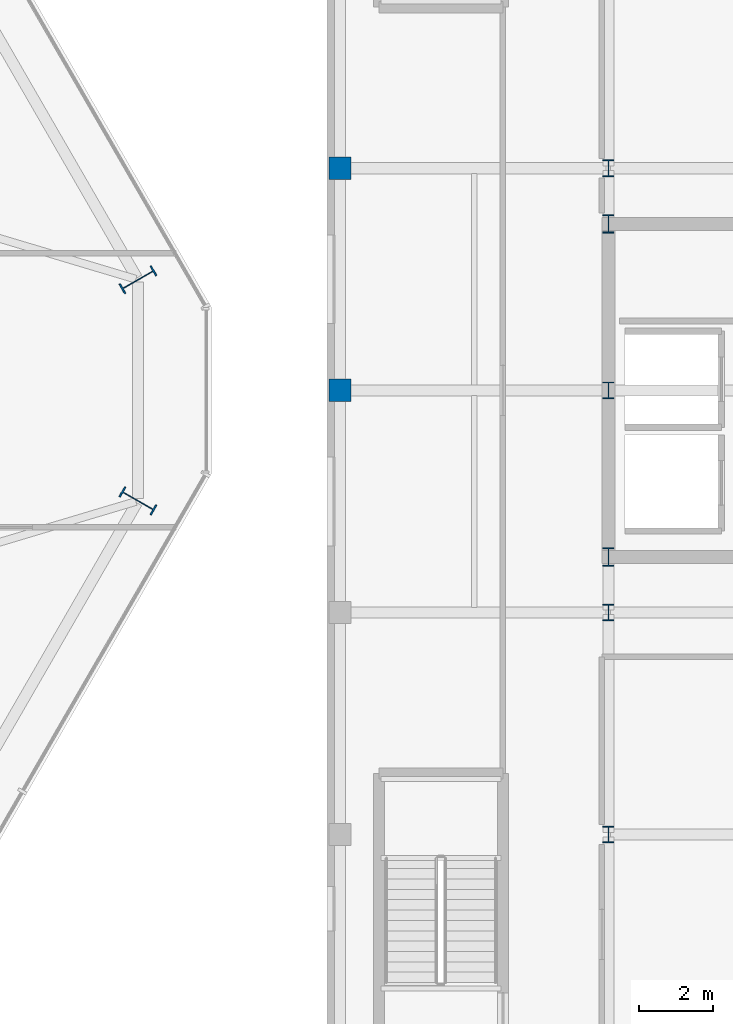
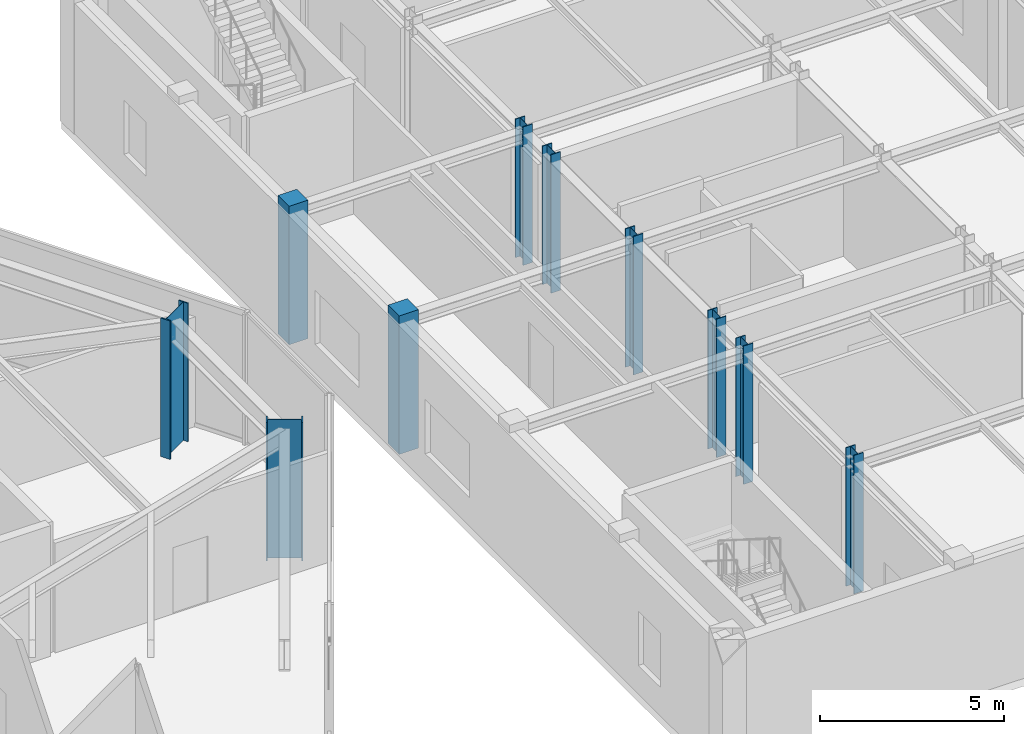
# One storey, part 2 of 23: 10 columns.
"""IFC4 building model written with IfcOpenShell, lengths in metres."""

from ifc_helpers import new_model, si_unit, direction, frame, origin, origin_2d, place, context, subcontext, project, spatial, rectangle, i_section, extrude, material, material_profile, profile_set, type_object, element, save


model = new_model("IFC4")

# Units and contexts
model_context = context("Model", 3, precision=1e-05, world=origin(), true_north=direction((0.0, 1.0)))
body_context = subcontext(model_context, "Body", "Model", "MODEL_VIEW")
ifc_project = project(units=[si_unit("LENGTHUNIT", "METRE"), si_unit("AREAUNIT", "SQUARE_METRE"), si_unit("VOLUMEUNIT", "CUBIC_METRE"), si_unit("PLANEANGLEUNIT", "RADIAN"), si_unit("MASSUNIT", "GRAM", prefix="KILO")], contexts=[model_context])

# Site, building, storey
site_placement = place(None, origin())
site = spatial("IfcSite", under=ifc_project, at=site_placement, CompositionType="ELEMENT")
building_placement = place(site_placement, origin())
building = spatial("IfcBuilding", under=site, at=building_placement, Name="Kranzbogen Civic Tower", CompositionType="ELEMENT")
storey_placement = place(building_placement, frame((0.0, 0.0, 9.800048828125)))
storey = spatial("IfcBuildingStorey", under=building, at=storey_placement, Name="L02", CompositionType="ELEMENT", Elevation=9.800048828125)

# Columns
ifc_material_1 = material(Name="Steel S355", Category="steel")
ifc_material_profile_1 = material_profile(ifc_material_1, i_section(OverallWidth=0.300048828125, OverallDepth=0.449951171875, WebThickness=0.013916015625, FlangeThickness=0.02587890625, at=origin_2d()), Name="HEB 450")
ifc_profile_set_1 = profile_set([ifc_material_profile_1], Name="Steel S355")
column_type_1 = type_object("IfcColumnType", Name="Structural Column HEB 450", PredefinedType="COLUMN", material=ifc_profile_set_1)
for number, where, z_axis, x_axis, name in (
    (1, (59.60009765625, 13.0, 0.0), (0.0, 0.0, 1.0), (1.0, 0.0, 0.0), "L02 Health Centre column 11/C"),
    (2, (59.60009765625, 19.0, 0.0), (0.0, 0.0, 1.0), (1.0, 0.0, 0.0), "L02 Health Centre column 11/D"),
    (3, (59.60009765625, 25.0, 0.0), (0.0, 0.0, 1.0), (1.0, 0.0, 0.0), "L02 Health Centre column 11/E"),
    (4, (59.60009765625, 31.0, 0.0), (0.0, 0.0, 1.0), (1.0, 0.0, 0.0), "L02 Health Centre column 11/F"),
):
    element("IfcColumn", number, at=place(storey_placement, frame(where, z_axis=z_axis, x_axis=x_axis)), inside=storey, type_object=column_type_1, Name=name, PredefinedType="COLUMN", context=body_context, shape_type="SweptSolid", body=[
        extrude(i_section(OverallWidth=0.300048828125, OverallDepth=0.449951171875, WebThickness=0.013916015625, FlangeThickness=0.02587890625, at=origin_2d()), origin(), (0.0, 0.0, 1.0), 4.599853515625),
    ])
ifc_material_profile_2 = material_profile(ifc_material_1, i_section(OverallWidth=0.300048828125, OverallDepth=0.5, WebThickness=0.014404296875, FlangeThickness=0.028076171875, at=origin_2d()), Name="HEB 500")
ifc_profile_set_2 = profile_set([ifc_material_profile_2], Name="Steel S355")
column_type_2 = type_object("IfcColumnType", Name="Structural Column HEB 500", PredefinedType="COLUMN", material=ifc_profile_set_2)
for number, where, z_axis, x_axis, name in (
    (5, (59.60009765625, 20.5, 0.0), (0.0, 0.0, 1.0), (1.0, 0.0, 0.0), "L02 Health Centre core corner column 1"),
    (6, (59.60009765625, 29.5, 0.0), (0.0, 0.0, 1.0), (1.0, 0.0, 0.0), "L02 Health Centre core corner column 4"),
):
    element("IfcColumn", number, at=place(storey_placement, frame(where, z_axis=z_axis, x_axis=x_axis)), inside=storey, type_object=column_type_2, Name=name, PredefinedType="COLUMN", context=body_context, shape_type="SweptSolid", body=[
        extrude(i_section(OverallWidth=0.300048828125, OverallDepth=0.5, WebThickness=0.014404296875, FlangeThickness=0.028076171875, at=origin_2d()), origin(), (0.0, 0.0, 1.0), 4.599853515625),
    ])
ifc_material_2 = material(Name="Steel S460", Category="steel")
ifc_material_profile_3 = material_profile(ifc_material_2, i_section(OverallWidth=0.302001953125, OverallDepth=1.008056640625, WebThickness=0.02099609375, FlangeThickness=0.0400390625, at=origin_2d()), Name="HEM 1000")
ifc_profile_set_3 = profile_set([ifc_material_profile_3], Name="Steel S460")
column_type_3 = type_object("IfcColumnType", Name="Structural Column HEM 1000", PredefinedType="COLUMN", material=ifc_profile_set_3)
for number, where, z_axis, x_axis, name in (
    (7, (46.889892578125, 27.986083984375, 0.0), (0.0, 0.0, 1.0), (-0.5, 0.866025403784, 0.0), "L02 tower perimeter tube column 01"),
    (8, (46.889892578125, 22.013916015625, 0.0), (0.0, 0.0, 1.0), (0.5, 0.866025403784, 0.0), "L02 tower perimeter tube column 12"),
):
    element("IfcColumn", number, at=place(storey_placement, frame(where, z_axis=z_axis, x_axis=x_axis)), inside=storey, type_object=column_type_3, Name=name, PredefinedType="COLUMN", context=body_context, shape_type="SweptSolid", body=[
        extrude(i_section(OverallWidth=0.302001953125, OverallDepth=1.008056640625, WebThickness=0.02099609375, FlangeThickness=0.0400390625, at=origin_2d()), origin(), (0.0, 0.0, 1.0), 4.599853515625),
    ])
ifc_material_3 = material(Name="Concrete C40/50", Category="concrete")
ifc_material_profile_4 = material_profile(ifc_material_3, rectangle(XDim=0.60009765625, YDim=0.60009765625, at=origin_2d()), Name="RC 600x600")
ifc_profile_set_4 = profile_set([ifc_material_profile_4], Name="Concrete C40/50")
column_type_4 = type_object("IfcColumnType", Name="Structural Column RC 600x600", PredefinedType="COLUMN", material=ifc_profile_set_4)
for number, where, z_axis, x_axis, name in (
    (9, (52.35009765625, 25.0, 0.0), (0.0, 0.0, 1.0), (1.0, 0.0, 0.0), "L02 Health Centre column 10/E"),
    (10, (52.35009765625, 31.0, 0.0), (0.0, 0.0, 1.0), (1.0, 0.0, 0.0), "L02 Health Centre column 10/F"),
):
    element("IfcColumn", number, at=place(storey_placement, frame(where, z_axis=z_axis, x_axis=x_axis)), inside=storey, type_object=column_type_4, Name=name, PredefinedType="COLUMN", context=body_context, shape_type="SweptSolid", body=[
        extrude(rectangle(XDim=0.60009765625, YDim=0.60009765625, at=origin_2d()), origin(), (0.0, 0.0, 1.0), 4.599853515625),
    ])

save(model, "model.ifc")
